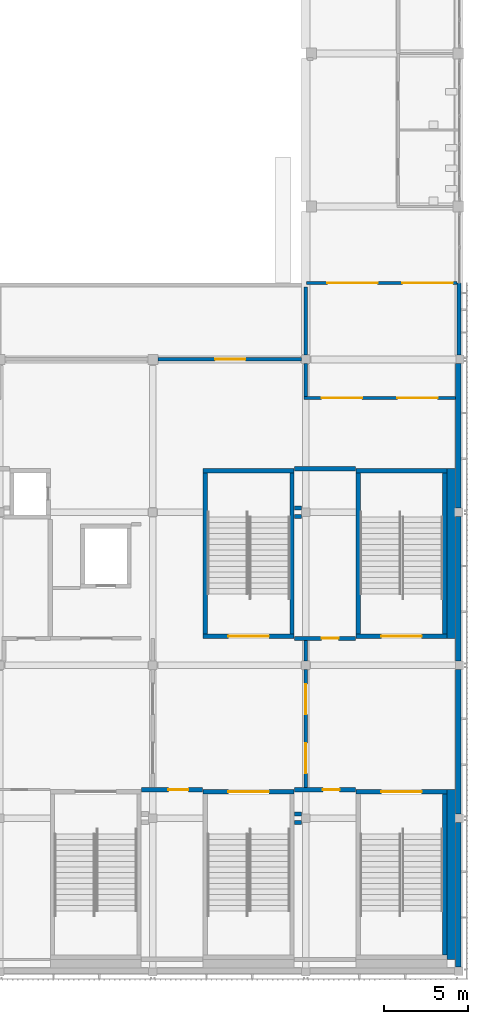
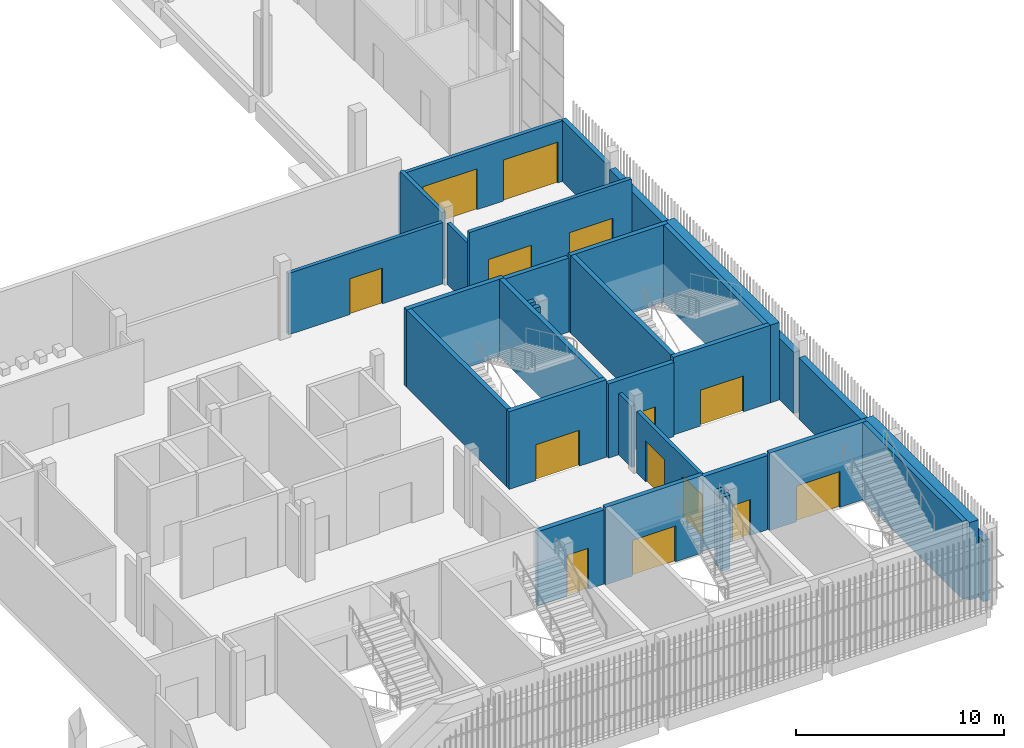
# One storey, part 54 of 91: 33 walls, 14 doors, 14 openings.
"""IFC4 building model written with IfcOpenShell, lengths in metres."""

import ifcopenshell
import ifcopenshell.guid

model = None  # the IFC model being written
_history = None  # IfcOwnerHistory: only IFC2X3 demands one
_inside = {}  # id of a spatial element -> (the spatial element, [elements in it])
_under = {}  # id of a project, library or spatial element -> (it, [spatial elements below it])
_declared = {}  # id of a project -> (the project, [libraries it declares])
_typed = {}  # id of a type object -> (the type object, [elements of that type])
_made_of = {}  # id of a material, layer set ... -> (it, [elements and type objects made of it])


def new_model(schema):
    """Start an empty IFC model of exactly this schema.

    Asked for "IFC4X3", IfcOpenShell would pick the latest addendum, in which some entities
    have other attributes; the version numbers below select the first issue.
    IFC2X3 requires an IfcOwnerHistory on every rooted entity: one is made here for all.
    """
    global model, _history
    if schema == "IFC4X3":
        model = ifcopenshell.file(schema_version=(4, 3, 0, 0))
    else:
        model = ifcopenshell.file(schema=schema)
    _inside.clear()
    _under.clear()
    _declared.clear()
    _typed.clear()
    _made_of.clear()
    _history = None
    if model.schema == "IFC2X3":
        org = make("IfcOrganization", Name="unknown")
        user = make(
            "IfcPersonAndOrganization",
            ThePerson=make("IfcPerson", FamilyName="unknown"),
            TheOrganization=org,
        )
        app = make(
            "IfcApplication",
            ApplicationDeveloper=org,
            Version="unknown",
            ApplicationFullName="unknown",
            ApplicationIdentifier="unknown",
        )
        _history = make(
            "IfcOwnerHistory",
            OwningUser=user,
            OwningApplication=app,
            ChangeAction="ADDED",
            CreationDate=0,
        )
    return model


def make(cls, **values):
    """One entity of the class cls with the attributes given. An attribute that is None is left unset."""
    return model.create_entity(
        cls, **{name: value for name, value in values.items() if value is not None}
    )


def rooted(cls, **values):
    """An entity with a GlobalId (a new one), such as an element, a storey or a relation."""
    return make(cls, GlobalId=ifcopenshell.guid.new(), OwnerHistory=_history, **values)


def si_unit(unit_type, name, prefix=None):
    """IfcSIUnit, for example si_unit("LENGTHUNIT", "METRE", prefix="MILLI")."""
    return make("IfcSIUnit", UnitType=unit_type, Prefix=prefix, Name=name)


def assignment(units):
    """IfcUnitAssignment: the units of a project."""
    return None if units is None else make("IfcUnitAssignment", Units=units)


def point(xyz):
    """IfcCartesianPoint."""
    return None if xyz is None else make("IfcCartesianPoint", Coordinates=xyz)


def direction(xyz):
    """IfcDirection."""
    return None if xyz is None else make("IfcDirection", DirectionRatios=xyz)


def frame(location, z_axis=None, x_axis=None):
    """IfcAxis2Placement3D, a coordinate frame: its origin and axes. An axis left out is left unset."""
    return make(
        "IfcAxis2Placement3D",
        Location=point(location),
        Axis=direction(z_axis),
        RefDirection=direction(x_axis),
    )


def frame_2d(location, x_axis=None):
    """IfcAxis2Placement2D, a coordinate frame in the plane: its origin and x axis."""
    return make(
        "IfcAxis2Placement2D", Location=point(location), RefDirection=direction(x_axis)
    )


def origin():
    """The frame at (0, 0, 0) with its axes left unset."""
    return frame((0.0, 0.0, 0.0))


def place(relative_to, where):
    """IfcLocalPlacement: puts the frame where relative to a parent placement (None: the world)."""
    return make(
        "IfcLocalPlacement", PlacementRelTo=relative_to, RelativePlacement=where
    )


def context(
    kind, dimensions, precision=None, world=None, true_north=None, identifier=None
):
    """IfcGeometricRepresentationContext, for example the 3D "Model" context."""
    return make(
        "IfcGeometricRepresentationContext",
        ContextIdentifier=identifier,
        ContextType=kind,
        CoordinateSpaceDimension=dimensions,
        Precision=precision,
        WorldCoordinateSystem=world,
        TrueNorth=true_north,
    )


def subcontext(parent, identifier, kind, view, scale=None):
    """IfcGeometricRepresentationSubContext, for example "Body" below "Model"."""
    return make(
        "IfcGeometricRepresentationSubContext",
        ContextIdentifier=identifier,
        ContextType=kind,
        ParentContext=parent,
        TargetScale=scale,
        TargetView=view,
    )


def project(units=None, contexts=None):
    """IfcProject with its units and contexts."""
    return rooted(
        "IfcProject",
        Name="project",
        RepresentationContexts=contexts,
        UnitsInContext=assignment(units),
    )


def spatial(cls, under=None, at=None, **own):
    """A site, building, storey or space (cls), placed at a placement, below another one or the project."""
    s = rooted(cls, ObjectPlacement=at, **own)
    if under is not None:
        _under.setdefault(under.id(), (under, []))[1].append(s)
    return s


def profile(cls, at=None, kind="AREA", **sizes):
    """A parametric profile (cls). Its sizes go by their IFC names, for example OverallWidth=200.0."""
    return make(cls, ProfileType=kind, Position=at, **sizes)


def rectangle(**sizes):
    """IfcRectangleProfileDef."""
    return profile("IfcRectangleProfileDef", **sizes)


def extrude(swept, where, along, depth):
    """IfcExtrudedAreaSolid: the profile swept, set in the frame where, extruded along a direction by depth."""
    return make(
        "IfcExtrudedAreaSolid",
        SweptArea=swept,
        Position=where,
        ExtrudedDirection=direction(along),
        Depth=depth,
    )


def shape(context_of_items, identifier, shape_type, items):
    """IfcShapeRepresentation: the items that make up one representation, for example the "Body"."""
    return make(
        "IfcShapeRepresentation",
        ContextOfItems=context_of_items,
        RepresentationIdentifier=identifier,
        RepresentationType=shape_type,
        Items=items,
    )


def material(Name=None, Category=None):
    """IfcMaterial."""
    return make("IfcMaterial", Name=Name, Category=Category)


def layer(
    of_material, thickness, ventilated=None, Name=None, Category=None, Priority=None
):
    """IfcMaterialLayer: one layer of a wall or slab, of a material (None: an air gap)."""
    return make(
        "IfcMaterialLayer",
        Material=of_material,
        LayerThickness=thickness,
        IsVentilated=ventilated,
        Name=Name,
        Category=Category,
        Priority=Priority,
    )


def layer_set(layers, Name=None):
    """IfcMaterialLayerSet."""
    return make("IfcMaterialLayerSet", MaterialLayers=layers, LayerSetName=Name)


def made_of(thing, what):
    """Note that an element or type object is made of a material, layer set ...; save() writes the relation."""
    if what is not None:
        _made_of.setdefault(what.id(), (what, []))[1].append(thing)
    return thing


def type_object(cls, material=None, **own):
    """A type object (cls), such as IfcWallType, which elements share."""
    return made_of(rooted(cls, **own), material)


def element(
    cls,
    number,
    at=None,
    inside=None,
    cuts=None,
    type_object=None,
    material=None,
    context=None,
    identifier="Body",
    shape_type=None,
    held_by="IfcProductDefinitionShape",
    body=None,
    shapes=None,
    **own,
):
    """One element of the class cls, such as IfcWall. Its Tag is "e" and its number.

    at: its placement. inside: the storey or other place that contains it. cuts: it is an
    opening in that element (IfcRelVoidsElement). A single representation is given by context,
    identifier, shape_type and body (its items); several are given by shapes. held_by: the class
    of the entity that holds the representations. save() writes the other relations.
    """
    e = rooted(cls, Tag="e%d" % number, ObjectPlacement=at, **own)
    if body is not None:
        shapes = [shape(context, identifier, shape_type, body)]
    if shapes is not None:
        e.Representation = make(held_by, Representations=shapes)
    if inside is not None:
        _inside.setdefault(inside.id(), (inside, []))[1].append(e)
    if cuts is not None:
        rooted(
            "IfcRelVoidsElement", RelatingBuildingElement=cuts, RelatedOpeningElement=e
        )
    if type_object is not None:
        _typed.setdefault(type_object.id(), (type_object, []))[1].append(e)
    return made_of(e, material)


def fill(opening, filler):
    """IfcRelFillsElement: the door or window that sits in an opening."""
    return rooted(
        "IfcRelFillsElement",
        RelatingOpeningElement=opening,
        RelatedBuildingElement=filler,
    )


def aggregate(whole, parts):
    """IfcRelAggregates: a whole, such as a stair, and the parts it consists of."""
    return rooted("IfcRelAggregates", RelatingObject=whole, RelatedObjects=parts)


def save(model, path):
    """Write the relations noted so far, then the file.

    IfcRelAggregates (storeys below a building ...), IfcRelContainedInSpatialStructure (elements
    in a storey), IfcRelDefinesByType, IfcRelAssociatesMaterial and IfcRelDeclares: one each for
    every whole, place, type object, material and project.
    """
    for whole, parts in _under.values():
        aggregate(whole, parts)
    for where, things in _inside.values():
        rooted(
            "IfcRelContainedInSpatialStructure",
            RelatedElements=things,
            RelatingStructure=where,
        )
    for kind, things in _typed.values():
        rooted("IfcRelDefinesByType", RelatedObjects=things, RelatingType=kind)
    for what, things in _made_of.values():
        rooted("IfcRelAssociatesMaterial", RelatedObjects=things, RelatingMaterial=what)
    for by, libraries in _declared.values():
        rooted("IfcRelDeclares", RelatingContext=by, RelatedDefinitions=libraries)
    model.write(path)


model = new_model("IFC4")

# Units and contexts
model_context = context("Model", 3, precision=1e-05, world=origin(), true_north=direction((0.0, 1.0)))
body_context = subcontext(model_context, "Body", "Model", "MODEL_VIEW")
ifc_project = project(units=[si_unit("LENGTHUNIT", "METRE"), si_unit("AREAUNIT", "SQUARE_METRE"), si_unit("VOLUMEUNIT", "CUBIC_METRE"), si_unit("PLANEANGLEUNIT", "RADIAN"), si_unit("MASSUNIT", "GRAM", prefix="KILO")], contexts=[model_context])

# Site, building, storey
site_placement = place(None, origin())
site = spatial("IfcSite", under=ifc_project, at=site_placement, CompositionType="ELEMENT")
building_placement = place(site_placement, origin())
building = spatial("IfcBuilding", under=site, at=building_placement, Name="Shirokan Park Arena", CompositionType="ELEMENT")
storey_placement = place(building_placement, frame((0.0, 0.0, 24.570068359375)))
storey = spatial("IfcBuildingStorey", under=building, at=storey_placement, Name="L05", CompositionType="ELEMENT", Elevation=24.570068359375)

# Wall
ifc_material_1 = material(Name="Plaster")
ifc_layer_1 = layer(ifc_material_1, 0.014892578125, Name="Plaster")
ifc_material_2 = material(Name="Concrete blockwork", Category="masonry")
ifc_layer_2 = layer(ifc_material_2, 0.219970703125, Name="Concrete blockwork 220")
ifc_layer_3 = layer(ifc_material_1, 0.014892578125, Name="Plaster")
ifc_layer_set_1 = layer_set([ifc_layer_1, ifc_layer_2, ifc_layer_3], Name="Plaster + Concrete blockwork 220")
wall_type_1 = type_object("IfcWallType", Name="Compartment wall 250", PredefinedType="SOLIDWALL", material=ifc_layer_set_1)
wall_1_placement = place(storey_placement, frame((135.830078125, 8.85009765625, 0.0), z_axis=(0.0, 0.0, 1.0), x_axis=(1.0, 0.0, 0.0)))
element("IfcWall", 1, at=wall_1_placement, inside=storey, type_object=wall_type_1, Name="Compartment wall 250 L05", PredefinedType="SOLIDWALL", context=body_context, shape_type="SweptSolid", body=[
    extrude(rectangle(XDim=0.419921875, YDim=0.25, at=frame_2d((0.2099609375, 0.0))), origin(), (0.0, 0.0, 1.0), 4.349853515625),
])

# Wall, opening, door
wall_2_placement = place(storey_placement, frame((135.830078125, 19.800048828125, 0.0), z_axis=(0.0, 0.0, 1.0), x_axis=(1.0, 0.0, 0.0)))
wall_2 = element("IfcWall", 2, at=wall_2_placement, inside=storey, type_object=wall_type_1, Name="Compartment wall 250 L05", PredefinedType="SOLIDWALL", context=body_context, shape_type="SweptSolid", body=[
    extrude(rectangle(XDim=3.639892578125, YDim=0.25, at=frame_2d((1.81982421875, 0.0))), origin(), (0.0, 0.0, 1.0), 4.349853515625),
])
opening_1_placement = place(wall_2_placement, frame((1.6201171875, 0.0, 0.0)))
opening_1 = element("IfcOpeningElement", 3, at=opening_1_placement, cuts=wall_2, Name="Opening D-5014", PredefinedType="OPENING", context=body_context, shape_type="SweptSolid", body=[
    extrude(rectangle(XDim=1.0, YDim=2.10009765625, at=frame_2d((0.5, 1.050048828125))), frame((0.0, 0.135009765625, 0.0), z_axis=(0.0, -1.0, 0.0), x_axis=(1.0, 0.0, 0.0)), (0.0, 0.0, 1.0), 0.27001953125),
])
ifc_material_3 = material(Name="Timber door set, fire resisting", Category="wood")
door_type_1 = type_object("IfcDoorType", Name="Door 1000 x 2100", OperationType="SINGLE_SWING_LEFT", PredefinedType="DOOR", material=ifc_material_3)
door_1_placement = place(opening_1_placement, origin())
door_1 = element("IfcDoor", 4, at=door_1_placement, inside=storey, type_object=door_type_1, Name="Door to Refuse Room 5.27 D-5014", OperationType="SINGLE_SWING_RIGHT", OverallHeight=2.10009765625, OverallWidth=1.0, PredefinedType="DOOR", context=body_context, shape_type="SweptSolid", body=[
    extrude(rectangle(XDim=1.0, YDim=2.10009765625, at=frame_2d((0.5, 1.050048828125))), frame((0.0, 0.02490234375, 0.0), z_axis=(0.0, -1.0, 0.0), x_axis=(1.0, 0.0, 0.0)), (0.0, 0.0, 1.0), 0.050048828125),
])
fill(opening_1, door_1)

# Walls
wall_3_placement = place(storey_placement, frame((135.830078125, 27.050048828125, 0.0), z_axis=(0.0, 0.0, 1.0), x_axis=(1.0, 0.0, 0.0)))
element("IfcWall", 5, at=wall_3_placement, inside=storey, type_object=wall_type_1, Name="Compartment wall 250 L05", PredefinedType="SOLIDWALL", context=body_context, shape_type="SweptSolid", body=[
    extrude(rectangle(XDim=0.419921875, YDim=0.25, at=frame_2d((0.2099609375, 0.0))), origin(), (0.0, 0.0, 1.0), 4.349853515625),
])
wall_4_placement = place(storey_placement, frame((135.830078125, 29.89990234375, 0.0), z_axis=(0.0, 0.0, 1.0), x_axis=(1.0, 0.0, 0.0)))
element("IfcWall", 6, at=wall_4_placement, inside=storey, type_object=wall_type_1, Name="Compartment wall 250 L05", PredefinedType="SOLIDWALL", context=body_context, shape_type="SweptSolid", body=[
    extrude(rectangle(XDim=3.639892578125, YDim=0.25, at=frame_2d((1.81982421875, 0.0))), origin(), (0.0, 0.0, 1.0), 4.349853515625),
])
for number, where, z_axis, x_axis, name in (
    (7, (136.25, 9.35009765625, 0.0), (0.0, 0.0, 1.0), (-1.0, 0.0, 0.0), "Compartment wall 250 L05"),
    (8, (136.25, 27.550048828125, 0.0), (0.0, 0.0, 1.0), (-1.0, 0.0, 0.0), "Compartment wall 250 L05"),
):
    element("IfcWall", number, at=place(storey_placement, frame(where, z_axis=z_axis, x_axis=x_axis)), inside=storey, type_object=wall_type_1, Name=name, PredefinedType="SOLIDWALL", context=body_context, shape_type="SweptSolid", body=[
        extrude(rectangle(XDim=0.419921875, YDim=0.25, at=frame_2d((0.2099609375, 0.0))), origin(), (0.0, 0.0, 1.0), 4.349853515625),
    ])

# Wall, opening, door
wall_5_placement = place(storey_placement, frame((135.830078125, 10.800048828125, 0.0), z_axis=(0.0, 0.0, 1.0), x_axis=(1.0, 0.0, 0.0)))
wall_5 = element("IfcWall", 9, at=wall_5_placement, inside=storey, type_object=wall_type_1, Name="Compartment wall 250 L05", PredefinedType="SOLIDWALL", context=body_context, shape_type="SweptSolid", body=[
    extrude(rectangle(XDim=3.639892578125, YDim=0.25, at=frame_2d((1.81982421875, 0.0))), origin(), (0.0, 0.0, 1.0), 4.349853515625),
])
opening_2_placement = place(wall_5_placement, frame((1.68994140625, 0.0, 0.0)))
opening_2 = element("IfcOpeningElement", 10, at=opening_2_placement, cuts=wall_5, Name="Opening D-5017", PredefinedType="OPENING", context=body_context, shape_type="SweptSolid", body=[
    extrude(rectangle(XDim=1.0, YDim=2.10009765625, at=frame_2d((0.5, 1.050048828125))), frame((0.0, 0.135009765625, 0.0), z_axis=(0.0, -1.0, 0.0), x_axis=(1.0, 0.0, 0.0)), (0.0, 0.0, 1.0), 0.27001953125),
])
door_2_placement = place(opening_2_placement, origin())
door_2 = element("IfcDoor", 11, at=door_2_placement, inside=storey, type_object=door_type_1, Name="Door to Kiosk Store 5.20 D-5017", OperationType="SINGLE_SWING_RIGHT", OverallHeight=2.10009765625, OverallWidth=1.0, PredefinedType="DOOR", context=body_context, shape_type="SweptSolid", body=[
    extrude(rectangle(XDim=1.0, YDim=2.10009765625, at=frame_2d((0.5, 1.050048828125))), frame((0.0, 0.02490234375, 0.0), z_axis=(0.0, -1.0, 0.0), x_axis=(1.0, 0.0, 0.0)), (0.0, 0.0, 1.0), 0.050048828125),
])
fill(opening_2, door_2)

ifc_material_4 = material(Name="Gypsum board")
ifc_layer_4 = layer(ifc_material_4, 0.02490234375, Name="Gypsum board, two layers")
ifc_material_5 = material(Name="Mineral wool insulation")
ifc_layer_5 = layer(ifc_material_5, 0.14990234375, Name="Mineral wool insulation")
ifc_layer_6 = layer(ifc_material_4, 0.02490234375, Name="Gypsum board, two layers")
ifc_layer_set_2 = layer_set([ifc_layer_4, ifc_layer_5, ifc_layer_6], Name="Gypsum board, two layers + Mineral wool insulation")
wall_type_2 = type_object("IfcWallType", Name="Corridor wall 200", PredefinedType="PARTITIONING", material=ifc_layer_set_2)
wall_6_placement = place(storey_placement, frame((136.25, 36.39990234375, 0.0), z_axis=(0.0, 0.0, 1.0), x_axis=(-1.0, 0.0, 0.0)))
wall_6 = element("IfcWall", 12, at=wall_6_placement, inside=storey, type_object=wall_type_2, Name="Corridor wall 200 L05", PredefinedType="PARTITIONING", context=body_context, shape_type="SweptSolid", body=[
    extrude(rectangle(XDim=8.550048828125, YDim=0.199951171875, at=frame_2d((4.27490234375, 0.0))), origin(), (0.0, 0.0, 1.0), 3.599853515625),
])
opening_3_placement = place(wall_6_placement, frame((3.35009765625, 0.0, 0.0)))
opening_3 = element("IfcOpeningElement", 13, at=opening_3_placement, cuts=wall_6, Name="Opening D-5020", PredefinedType="OPENING", context=body_context, shape_type="SweptSolid", body=[
    extrude(rectangle(XDim=1.800048828125, YDim=2.10009765625, at=frame_2d((0.89990234375, 1.050048828125))), frame((0.0, 0.10986328125, 0.0), z_axis=(0.0, -1.0, 0.0), x_axis=(1.0, 0.0, 0.0)), (0.0, 0.0, 1.0), 0.219970703125),
])
door_type_2 = type_object("IfcDoorType", Name="Double door 1800 x 2100", OperationType="DOUBLE_DOOR_SINGLE_SWING", PredefinedType="DOOR", material=ifc_material_3)
door_3_placement = place(opening_3_placement, origin())
door_3 = element("IfcDoor", 14, at=door_3_placement, inside=storey, type_object=door_type_2, Name="Door to Fan Zone Retail 5.21 D-5020", OperationType="DOUBLE_DOOR_SINGLE_SWING", OverallHeight=2.10009765625, OverallWidth=1.800048828125, PredefinedType="DOOR", context=body_context, shape_type="SweptSolid", body=[
    extrude(rectangle(XDim=1.800048828125, YDim=2.10009765625, at=frame_2d((0.89990234375, 1.050048828125))), frame((0.0, 0.02490234375, 0.0), z_axis=(0.0, -1.0, 0.0), x_axis=(1.0, 0.0, 0.0)), (0.0, 0.0, 1.0), 0.050048828125),
])
fill(opening_3, door_3)

# Wall, openings, doors
wall_7_placement = place(storey_placement, frame((136.39990234375, 34.10009765625, 0.0), z_axis=(0.0, 0.0, 1.0), x_axis=(1.0, 0.0, 0.0)))
wall_7 = element("IfcWall", 15, at=wall_7_placement, inside=storey, type_object=wall_type_2, Name="Corridor wall 200 L05", PredefinedType="PARTITIONING", context=body_context, shape_type="SweptSolid", body=[
    extrude(rectangle(XDim=9.0, YDim=0.199951171875, at=frame_2d((4.5, 0.0))), origin(), (0.0, 0.0, 1.0), 4.349853515625),
])
opening_4_placement = place(wall_7_placement, frame((1.050048828125, 0.0, 0.0)))
opening_4 = element("IfcOpeningElement", 16, at=opening_4_placement, cuts=wall_7, Name="Opening D-5077", PredefinedType="OPENING", context=body_context, shape_type="SweptSolid", body=[
    extrude(rectangle(XDim=2.39990234375, YDim=2.39990234375, at=frame_2d((1.199951171875, 1.199951171875))), frame((0.0, 0.10986328125, 0.0), z_axis=(0.0, -1.0, 0.0), x_axis=(1.0, 0.0, 0.0)), (0.0, 0.0, 1.0), 0.219970703125),
])
opening_5_placement = place(wall_7_placement, frame((5.550048828125, 0.0, 0.0)))
opening_5 = element("IfcOpeningElement", 17, at=opening_5_placement, cuts=wall_7, Name="Opening D-5078", PredefinedType="OPENING", context=body_context, shape_type="SweptSolid", body=[
    extrude(rectangle(XDim=2.39990234375, YDim=2.39990234375, at=frame_2d((1.199951171875, 1.199951171875))), frame((0.0, 0.10986328125, 0.0), z_axis=(0.0, -1.0, 0.0), x_axis=(1.0, 0.0, 0.0)), (0.0, 0.0, 1.0), 0.219970703125),
])
ifc_material_6 = material(Name="Steel door set, fire resisting", Category="steel")
door_type_3 = type_object("IfcDoorType", Name="Double door 2400 x 2400", OperationType="DOUBLE_DOOR_SINGLE_SWING", PredefinedType="DOOR", material=ifc_material_6)
door_4_placement = place(opening_4_placement, origin())
door_4 = element("IfcDoor", 18, at=door_4_placement, inside=storey, type_object=door_type_3, Name="Door between Service Corridor 2.5 and Concourse Link 2.5 D-5077", OperationType="DOUBLE_DOOR_SINGLE_SWING", OverallHeight=2.39990234375, OverallWidth=2.39990234375, PredefinedType="DOOR", context=body_context, shape_type="SweptSolid", body=[
    extrude(rectangle(XDim=2.39990234375, YDim=2.39990234375, at=frame_2d((1.199951171875, 1.199951171875))), frame((0.0, 0.02490234375, 0.0), z_axis=(0.0, -1.0, 0.0), x_axis=(1.0, 0.0, 0.0)), (0.0, 0.0, 1.0), 0.050048828125),
])
fill(opening_4, door_4)
door_5_placement = place(opening_5_placement, origin())
door_5 = element("IfcDoor", 19, at=door_5_placement, inside=storey, type_object=door_type_3, Name="Door between Service Corridor 2.5 and Concourse Link 2.5 D-5078", OperationType="DOUBLE_DOOR_SINGLE_SWING", OverallHeight=2.39990234375, OverallWidth=2.39990234375, PredefinedType="DOOR", context=body_context, shape_type="SweptSolid", body=[
    extrude(rectangle(XDim=2.39990234375, YDim=2.39990234375, at=frame_2d((1.199951171875, 1.199951171875))), frame((0.0, 0.02490234375, 0.0), z_axis=(0.0, -1.0, 0.0), x_axis=(1.0, 0.0, 0.0)), (0.0, 0.0, 1.0), 0.050048828125),
])
fill(opening_5, door_5)

wall_8_placement = place(storey_placement, frame((136.5, 10.925048828125, 0.0), z_axis=(0.0, 0.0, 1.0), x_axis=(0.0, 1.0, 0.0)))
wall_8 = element("IfcWall", 20, at=wall_8_placement, inside=storey, type_object=wall_type_2, Name="Corridor wall 200 L05", PredefinedType="PARTITIONING", context=body_context, shape_type="SweptSolid", body=[
    extrude(rectangle(XDim=7.02490234375, YDim=0.199951171875, at=frame_2d((3.512451171875, 0.0))), origin(), (0.0, 0.0, 1.0), 3.599853515625),
])
opening_6_placement = place(wall_8_placement, frame((0.85009765625, 0.0, 0.0)))
opening_6 = element("IfcOpeningElement", 21, at=opening_6_placement, cuts=wall_8, Name="Opening D-5079", PredefinedType="OPENING", context=body_context, shape_type="SweptSolid", body=[
    extrude(rectangle(XDim=1.800048828125, YDim=2.39990234375, at=frame_2d((0.89990234375, 1.199951171875))), frame((0.0, 0.10986328125, 0.0), z_axis=(0.0, -1.0, 0.0), x_axis=(1.0, 0.0, 0.0)), (0.0, 0.0, 1.0), 0.219970703125),
])
opening_7_placement = place(wall_8_placement, frame((4.35009765625, 0.0, 0.0)))
opening_7 = element("IfcOpeningElement", 22, at=opening_7_placement, cuts=wall_8, Name="Opening D-5080", PredefinedType="OPENING", context=body_context, shape_type="SweptSolid", body=[
    extrude(rectangle(XDim=1.800048828125, YDim=2.39990234375, at=frame_2d((0.89990234375, 1.199951171875))), frame((0.0, 0.10986328125, 0.0), z_axis=(0.0, -1.0, 0.0), x_axis=(1.0, 0.0, 0.0)), (0.0, 0.0, 1.0), 0.219970703125),
])
ifc_material_7 = material(Name="Glazed steel door set, fire resisting", Category="steel")
door_type_4 = type_object("IfcDoorType", Name="Lift lobby door 1800 x 2400", OperationType="DOUBLE_DOOR_SINGLE_SWING", PredefinedType="DOOR", material=ifc_material_7)
door_6_placement = place(opening_6_placement, origin())
door_6 = element("IfcDoor", 23, at=door_6_placement, inside=storey, type_object=door_type_4, Name="Door between Staff Lobby 2.5.1 and Stair Lobby 2.5.2 D-5079", OperationType="DOUBLE_DOOR_SINGLE_SWING", OverallHeight=2.39990234375, OverallWidth=1.800048828125, PredefinedType="DOOR", context=body_context, shape_type="SweptSolid", body=[
    extrude(rectangle(XDim=1.800048828125, YDim=2.39990234375, at=frame_2d((0.89990234375, 1.199951171875))), frame((0.0, 0.02490234375, 0.0), z_axis=(0.0, -1.0, 0.0), x_axis=(1.0, 0.0, 0.0)), (0.0, 0.0, 1.0), 0.050048828125),
])
fill(opening_6, door_6)
door_7_placement = place(opening_7_placement, origin())
door_7 = element("IfcDoor", 24, at=door_7_placement, inside=storey, type_object=door_type_4, Name="Door between Staff Lobby 2.5.1 and Stair Lobby 2.5.2 D-5080", OperationType="DOUBLE_DOOR_SINGLE_SWING", OverallHeight=2.39990234375, OverallWidth=1.800048828125, PredefinedType="DOOR", context=body_context, shape_type="SweptSolid", body=[
    extrude(rectangle(XDim=1.800048828125, YDim=2.39990234375, at=frame_2d((0.89990234375, 1.199951171875))), frame((0.0, 0.02490234375, 0.0), z_axis=(0.0, -1.0, 0.0), x_axis=(1.0, 0.0, 0.0)), (0.0, 0.0, 1.0), 0.050048828125),
])
fill(opening_7, door_7)

# Walls
wall_9_placement = place(storey_placement, frame((136.5, 18.449951171875, 0.0), z_axis=(0.0, 0.0, 1.0), x_axis=(0.0, 1.0, 0.0)))
element("IfcWall", 25, at=wall_9_placement, inside=storey, type_object=wall_type_2, Name="Corridor wall 200 L05", PredefinedType="PARTITIONING", context=body_context, shape_type="SweptSolid", body=[
    extrude(rectangle(XDim=1.22509765625, YDim=0.199951171875, at=frame_2d((0.612548828125, 0.0))), origin(), (0.0, 0.0, 1.0), 3.599853515625),
])
wall_10_placement = place(storey_placement, frame((136.5, 36.14990234375, 0.0), z_axis=(0.0, 0.0, 1.0), x_axis=(0.0, -1.0, 0.0)))
element("IfcWall", 26, at=wall_10_placement, inside=storey, type_object=wall_type_2, Name="Corridor wall 200 L05", PredefinedType="PARTITIONING", context=body_context, shape_type="SweptSolid", body=[
    extrude(rectangle(XDim=1.949951171875, YDim=0.199951171875, at=frame_2d((0.97509765625, 0.0))), origin(), (0.0, 0.0, 1.0), 3.599853515625),
])
wall_11_placement = place(storey_placement, frame((136.5, 40.699951171875, 0.0), z_axis=(0.0, 0.0, 1.0), x_axis=(0.0, -1.0, 0.0)))
element("IfcWall", 27, at=wall_11_placement, inside=storey, type_object=wall_type_2, Name="Corridor wall 200 L05", PredefinedType="PARTITIONING", context=body_context, shape_type="SweptSolid", body=[
    extrude(rectangle(XDim=4.050048828125, YDim=0.199951171875, at=frame_2d((2.02490234375, 0.0))), origin(), (0.0, 0.0, 1.0), 3.89990234375),
])

# Wall, openings, doors
wall_12_placement = place(storey_placement, frame((136.530029296875, 40.949951171875, 0.0), z_axis=(0.0, 0.0, 1.0), x_axis=(1.0, 0.0, 0.0)))
wall_12 = element("IfcWall", 28, at=wall_12_placement, inside=storey, type_object=wall_type_2, Name="Corridor wall 200 L05", PredefinedType="PARTITIONING", context=body_context, shape_type="SweptSolid", body=[
    extrude(rectangle(XDim=8.969970703125, YDim=0.199951171875, at=frame_2d((4.48486328125, 0.0))), origin(), (0.0, 0.0, 1.0), 3.550048828125),
])
opening_8_placement = place(wall_12_placement, frame((1.25, 0.0, 0.0)))
opening_8 = element("IfcOpeningElement", 29, at=opening_8_placement, cuts=wall_12, Name="Opening D-5089", PredefinedType="OPENING", context=body_context, shape_type="SweptSolid", body=[
    extrude(rectangle(XDim=3.0, YDim=2.39990234375, at=frame_2d((1.5, 1.199951171875))), frame((0.0, 0.10986328125, 0.0), z_axis=(0.0, -1.0, 0.0), x_axis=(1.0, 0.0, 0.0)), (0.0, 0.0, 1.0), 0.219970703125),
])
opening_9_placement = place(wall_12_placement, frame((5.719970703125, 0.0, 0.0)))
opening_9 = element("IfcOpeningElement", 30, at=opening_9_placement, cuts=wall_12, Name="Opening D-5090", PredefinedType="OPENING", context=body_context, shape_type="SweptSolid", body=[
    extrude(rectangle(XDim=3.0, YDim=2.39990234375, at=frame_2d((1.5, 1.199951171875))), frame((0.0, 0.10986328125, 0.0), z_axis=(0.0, -1.0, 0.0), x_axis=(1.0, 0.0, 0.0)), (0.0, 0.0, 1.0), 0.219970703125),
])
door_type_5 = type_object("IfcDoorType", Name="Concourse door 3000 x 2400", OperationType="DOUBLE_DOOR_SINGLE_SWING", PredefinedType="DOOR", material=ifc_material_7)
door_8_placement = place(opening_8_placement, origin())
door_8 = element("IfcDoor", 31, at=door_8_placement, inside=storey, type_object=door_type_5, Name="Door between Concourse Link 2.5 and Concourse L05 East Hall D-5089", OperationType="DOUBLE_DOOR_SINGLE_SWING", OverallHeight=2.39990234375, OverallWidth=3.0, PredefinedType="DOOR", context=body_context, shape_type="SweptSolid", body=[
    extrude(rectangle(XDim=3.0, YDim=2.39990234375, at=frame_2d((1.5, 1.199951171875))), frame((0.0, 0.02490234375, 0.0), z_axis=(0.0, -1.0, 0.0), x_axis=(1.0, 0.0, 0.0)), (0.0, 0.0, 1.0), 0.050048828125),
])
fill(opening_8, door_8)
door_9_placement = place(opening_9_placement, origin())
door_9 = element("IfcDoor", 32, at=door_9_placement, inside=storey, type_object=door_type_5, Name="Door between Concourse Link 2.5 and Concourse L05 East Hall D-5090", OperationType="DOUBLE_DOOR_SINGLE_SWING", OverallHeight=2.39990234375, OverallWidth=3.0, PredefinedType="DOOR", context=body_context, shape_type="SweptSolid", body=[
    extrude(rectangle(XDim=3.0, YDim=2.39990234375, at=frame_2d((1.5, 1.199951171875))), frame((0.0, 0.02490234375, 0.0), z_axis=(0.0, -1.0, 0.0), x_axis=(1.0, 0.0, 0.0)), (0.0, 0.0, 1.0), 0.050048828125),
])
fill(opening_9, door_9)

# Walls
ifc_material_8 = material(Name="Cedar cladding")
ifc_layer_7 = layer(ifc_material_8, 0.030029296875, Name="Cedar cladding")
ifc_layer_8 = layer(ifc_material_5, 0.10009765625, Name="Mineral wool insulation")
ifc_material_9 = material(Name="Concrete C35", Category="concrete")
ifc_layer_9 = layer(ifc_material_9, 0.199951171875, Name="Concrete C35")
ifc_material_10 = material(Name="Gypsum board lining")
ifc_layer_10 = layer(ifc_material_10, 0.02001953125, Name="Gypsum board lining")
ifc_layer_set_3 = layer_set([ifc_layer_7, ifc_layer_8, ifc_layer_9, ifc_layer_10], Name="Cedar cladding + Mineral wool insulation + Concrete C35 + Gypsum board lining")
wall_type_3 = type_object("IfcWallType", Name="Insulated tower wall 350", PredefinedType="SOLIDWALL", material=ifc_layer_set_3)
wall_13_placement = place(storey_placement, frame((145.574951171875, 0.25, 0.0), z_axis=(0.0, 0.0, 1.0), x_axis=(0.0, 1.0, 0.0)))
element("IfcWall", 33, at=wall_13_placement, inside=storey, type_object=wall_type_3, Name="East facade wall bay 1 L05", PredefinedType="SOLIDWALL", context=body_context, shape_type="SweptSolid", body=[
    extrude(rectangle(XDim=8.60009765625, YDim=0.35009765625, at=frame_2d((4.300048828125, 0.0))), origin(), (0.0, 0.0, 1.0), 3.599853515625),
])
wall_14_placement = place(storey_placement, frame((145.574951171875, 9.35009765625, 0.0), z_axis=(0.0, 0.0, 1.0), x_axis=(0.0, 1.0, 0.0)))
element("IfcWall", 34, at=wall_14_placement, inside=storey, type_object=wall_type_3, Name="East facade wall bay 2 L05", PredefinedType="SOLIDWALL", context=body_context, shape_type="SweptSolid", body=[
    extrude(rectangle(XDim=8.599853515625, YDim=0.35009765625, at=frame_2d((4.2998046875, 0.0))), origin(), (0.0, 0.0, 1.0), 3.599853515625),
])
wall_15_placement = place(storey_placement, frame((145.574951171875, 18.449951171875, 0.0), z_axis=(0.0, 0.0, 1.0), x_axis=(0.0, 1.0, 0.0)))
element("IfcWall", 35, at=wall_15_placement, inside=storey, type_object=wall_type_3, Name="East facade wall bay 3 L05", PredefinedType="SOLIDWALL", context=body_context, shape_type="SweptSolid", body=[
    extrude(rectangle(XDim=8.60009765625, YDim=0.35009765625, at=frame_2d((4.300048828125, 0.0))), origin(), (0.0, 0.0, 1.0), 3.599853515625),
])
wall_16_placement = place(storey_placement, frame((145.574951171875, 27.550048828125, 0.0), z_axis=(0.0, 0.0, 1.0), x_axis=(0.0, 1.0, 0.0)))
element("IfcWall", 36, at=wall_16_placement, inside=storey, type_object=wall_type_3, Name="East facade wall bay 4 L05", PredefinedType="SOLIDWALL", context=body_context, shape_type="SweptSolid", body=[
    extrude(rectangle(XDim=8.599853515625, YDim=0.35009765625, at=frame_2d((4.2998046875, 0.0))), origin(), (0.0, 0.0, 1.0), 3.599853515625),
])

# Wall, opening, door
ifc_layer_11 = layer(ifc_material_1, 0.012451171875, Name="Plaster")
ifc_layer_12 = layer(ifc_material_2, 0.25, Name="Concrete blockwork 250")
ifc_layer_13 = layer(ifc_material_1, 0.012451171875, Name="Plaster")
ifc_layer_set_4 = layer_set([ifc_layer_11, ifc_layer_12, ifc_layer_13], Name="Plaster + Concrete blockwork 250")
wall_type_4 = type_object("IfcWallType", Name="Plant room wall 275", PredefinedType="SOLIDWALL", material=ifc_layer_set_4)
wall_17_placement = place(storey_placement, frame((126.72998046875, 10.800048828125, 0.0), z_axis=(0.0, 0.0, 1.0), x_axis=(1.0, 0.0, 0.0)))
wall_17 = element("IfcWall", 37, at=wall_17_placement, inside=storey, type_object=wall_type_4, Name="Plant room wall 275 L05", PredefinedType="SOLIDWALL", context=body_context, shape_type="SweptSolid", body=[
    extrude(rectangle(XDim=3.64013671875, YDim=0.27490234375, at=frame_2d((1.820068359375, 0.0))), origin(), (0.0, 0.0, 1.0), 4.349853515625),
])
opening_10_placement = place(wall_17_placement, frame((1.590087890625, 0.0, 0.0)))
opening_10 = element("IfcOpeningElement", 38, at=opening_10_placement, cuts=wall_17, Name="Opening D-5018", PredefinedType="OPENING", context=body_context, shape_type="SweptSolid", body=[
    extrude(rectangle(XDim=1.199951171875, YDim=2.39990234375, at=frame_2d((0.60009765625, 1.199951171875))), frame((0.0, 0.1474609375, 0.0), z_axis=(0.0, -1.0, 0.0), x_axis=(1.0, 0.0, 0.0)), (0.0, 0.0, 1.0), 0.294921875),
])
ifc_material_11 = material(Name="Louvred steel door set, fire resisting", Category="steel")
door_type_6 = type_object("IfcDoorType", Name="Plant room door 1200 x 2400", OperationType="SINGLE_SWING_LEFT", PredefinedType="DOOR", material=ifc_material_11)
door_10_placement = place(opening_10_placement, origin())
door_10 = element("IfcDoor", 39, at=door_10_placement, inside=storey, type_object=door_type_6, Name="Door to Electrical Room 5.21 D-5018", OperationType="SINGLE_SWING_RIGHT", OverallHeight=2.39990234375, OverallWidth=1.199951171875, PredefinedType="DOOR", context=body_context, shape_type="SweptSolid", body=[
    extrude(rectangle(XDim=1.199951171875, YDim=2.39990234375, at=frame_2d((0.60009765625, 1.199951171875))), frame((0.0, 0.02490234375, 0.0), z_axis=(0.0, -1.0, 0.0), x_axis=(1.0, 0.0, 0.0)), (0.0, 0.0, 1.0), 0.050048828125),
])
fill(opening_10, door_10)

# Wall
ifc_material_12 = material(Name="Concrete C40/50 precast", Category="concrete")
ifc_layer_14 = layer(ifc_material_12, 0.10009765625, Name="Concrete C40/50 precast")
ifc_layer_15 = layer(ifc_material_5, 0.10009765625, Name="Mineral wool insulation")
ifc_layer_16 = layer(ifc_material_10, 0.050048828125, Name="Gypsum board lining")
ifc_layer_set_5 = layer_set([ifc_layer_14, ifc_layer_15, ifc_layer_16], Name="Concrete C40/50 precast + Mineral wool insulation + Gypsum board lining")
wall_type_5 = type_object("IfcWallType", Name="Precast concrete panel wall 250", PredefinedType="SOLIDWALL", material=ifc_layer_set_5)
wall_18_placement = place(storey_placement, frame((145.625, 36.64990234375, 0.0), z_axis=(0.0, 0.0, 1.0), x_axis=(0.0, 1.0, 0.0)))
element("IfcWall", 40, at=wall_18_placement, inside=storey, type_object=wall_type_5, Name="East facade wall bay 5 L05", PredefinedType="SOLIDWALL", context=body_context, shape_type="SweptSolid", body=[
    extrude(rectangle(XDim=4.300048828125, YDim=0.25, at=frame_2d((2.14990234375, 0.0))), origin(), (0.0, 0.0, 1.0), 3.599853515625),
])

# Wall, opening, door
ifc_material_13 = material(Name="Concrete C40/50", Category="concrete")
ifc_layer_17 = layer(ifc_material_13, 0.25)
ifc_layer_set_6 = layer_set([ifc_layer_17], Name="Concrete C40/50 250 mm")
wall_type_6 = type_object("IfcWallType", Name="RC shear wall 250", PredefinedType="SHEAR", material=ifc_layer_set_6)
wall_19_placement = place(storey_placement, frame((144.89990234375, 10.675048828125, 0.0), z_axis=(0.0, 0.0, 1.0), x_axis=(-1.0, 0.0, 0.0)))
wall_19 = element("IfcWall", 41, at=wall_19_placement, inside=storey, type_object=wall_type_6, Name="Shaft wall Exit Stair 2.A N L05", PredefinedType="SHEAR", context=body_context, shape_type="SweptSolid", body=[
    extrude(rectangle(XDim=5.39990234375, YDim=0.25, at=frame_2d((2.699951171875, 0.0))), origin(), (0.0, 0.0, 1.0), 4.550048828125),
])
opening_11_placement = place(wall_19_placement, frame((1.5, 0.0, 0.0)))
opening_11 = element("IfcOpeningElement", 42, at=opening_11_placement, cuts=wall_19, Name="Opening D-5135", PredefinedType="OPENING", context=body_context, shape_type="SweptSolid", body=[
    extrude(rectangle(XDim=2.39990234375, YDim=2.10009765625, at=frame_2d((1.199951171875, 1.050048828125))), frame((0.0, 0.135009765625, 0.0), z_axis=(0.0, -1.0, 0.0), x_axis=(1.0, 0.0, 0.0)), (0.0, 0.0, 1.0), 0.27001953125),
])
door_type_7 = type_object("IfcDoorType", Name="Stair door 2400 x 2100", OperationType="DOUBLE_DOOR_SINGLE_SWING", PredefinedType="DOOR", material=ifc_material_6)
door_11_placement = place(opening_11_placement, origin())
door_11 = element("IfcDoor", 43, at=door_11_placement, inside=storey, type_object=door_type_7, Name="Stair door Exit Stair 2.A D-5135", OperationType="DOUBLE_DOOR_SINGLE_SWING", OverallHeight=2.10009765625, OverallWidth=2.39990234375, PredefinedType="DOOR", context=body_context, shape_type="SweptSolid", body=[
    extrude(rectangle(XDim=2.39990234375, YDim=2.10009765625, at=frame_2d((1.199951171875, 1.050048828125))), frame((0.0, 0.02490234375, 0.0), z_axis=(0.0, -1.0, 0.0), x_axis=(1.0, 0.0, 0.0)), (0.0, 0.0, 1.0), 0.050048828125),
])
fill(opening_11, door_11)

# Wall
wall_20_placement = place(storey_placement, frame((144.77490234375, 10.550048828125, 0.0), z_axis=(0.0, 0.0, 1.0), x_axis=(0.0, -1.0, 0.0)))
element("IfcWall", 44, at=wall_20_placement, inside=storey, type_object=wall_type_6, Name="Shaft wall Exit Stair 2.A E L05", PredefinedType="SHEAR", context=body_context, shape_type="SweptSolid", body=[
    extrude(rectangle(XDim=9.60009765625, YDim=0.25, at=frame_2d((4.800048828125, 0.0))), origin(), (0.0, 0.0, 1.0), 4.550048828125),
])

# Wall, opening, door
wall_21_placement = place(storey_placement, frame((135.800048828125, 10.675048828125, 0.0), z_axis=(0.0, 0.0, 1.0), x_axis=(-1.0, 0.0, 0.0)))
wall_21 = element("IfcWall", 45, at=wall_21_placement, inside=storey, type_object=wall_type_6, Name="Shaft wall Exit Stair 2.B N L05", PredefinedType="SHEAR", context=body_context, shape_type="SweptSolid", body=[
    extrude(rectangle(XDim=5.400146484375, YDim=0.25, at=frame_2d((2.7001953125, 0.0))), origin(), (0.0, 0.0, 1.0), 4.550048828125),
])
opening_12_placement = place(wall_21_placement, frame((1.5, 0.0, 0.0)))
opening_12 = element("IfcOpeningElement", 46, at=opening_12_placement, cuts=wall_21, Name="Opening D-5136", PredefinedType="OPENING", context=body_context, shape_type="SweptSolid", body=[
    extrude(rectangle(XDim=2.39990234375, YDim=2.10009765625, at=frame_2d((1.199951171875, 1.050048828125))), frame((0.0, 0.135009765625, 0.0), z_axis=(0.0, -1.0, 0.0), x_axis=(1.0, 0.0, 0.0)), (0.0, 0.0, 1.0), 0.27001953125),
])
door_12_placement = place(opening_12_placement, origin())
door_12 = element("IfcDoor", 47, at=door_12_placement, inside=storey, type_object=door_type_7, Name="Stair door Exit Stair 2.B D-5136", OperationType="DOUBLE_DOOR_SINGLE_SWING", OverallHeight=2.10009765625, OverallWidth=2.39990234375, PredefinedType="DOOR", context=body_context, shape_type="SweptSolid", body=[
    extrude(rectangle(XDim=2.39990234375, YDim=2.10009765625, at=frame_2d((1.199951171875, 1.050048828125))), frame((0.0, 0.02490234375, 0.0), z_axis=(0.0, -1.0, 0.0), x_axis=(1.0, 0.0, 0.0)), (0.0, 0.0, 1.0), 0.050048828125),
])
fill(opening_12, door_12)

wall_22_placement = place(storey_placement, frame((144.89990234375, 19.925048828125, 0.0), z_axis=(0.0, 0.0, 1.0), x_axis=(-1.0, 0.0, 0.0)))
wall_22 = element("IfcWall", 48, at=wall_22_placement, inside=storey, type_object=wall_type_6, Name="Shaft wall Exit Stair 2.E S L05", PredefinedType="SHEAR", context=body_context, shape_type="SweptSolid", body=[
    extrude(rectangle(XDim=5.39990234375, YDim=0.25, at=frame_2d((2.699951171875, 0.0))), origin(), (0.0, 0.0, 1.0), 4.550048828125),
])
opening_13_placement = place(wall_22_placement, frame((1.5, 0.0, 0.0)))
opening_13 = element("IfcOpeningElement", 49, at=opening_13_placement, cuts=wall_22, Name="Opening D-5139", PredefinedType="OPENING", context=body_context, shape_type="SweptSolid", body=[
    extrude(rectangle(XDim=2.39990234375, YDim=2.10009765625, at=frame_2d((1.199951171875, 1.050048828125))), frame((0.0, 0.135009765625, 0.0), z_axis=(0.0, -1.0, 0.0), x_axis=(1.0, 0.0, 0.0)), (0.0, 0.0, 1.0), 0.27001953125),
])
door_13_placement = place(opening_13_placement, origin())
door_13 = element("IfcDoor", 50, at=door_13_placement, inside=storey, type_object=door_type_7, Name="Stair door Exit Stair 2.E D-5139", OperationType="DOUBLE_DOOR_SINGLE_SWING", OverallHeight=2.10009765625, OverallWidth=2.39990234375, PredefinedType="DOOR", context=body_context, shape_type="SweptSolid", body=[
    extrude(rectangle(XDim=2.39990234375, YDim=2.10009765625, at=frame_2d((1.199951171875, 1.050048828125))), frame((0.0, 0.02490234375, 0.0), z_axis=(0.0, -1.0, 0.0), x_axis=(1.0, 0.0, 0.0)), (0.0, 0.0, 1.0), 0.050048828125),
])
fill(opening_13, door_13)

# Walls
wall_23_placement = place(storey_placement, frame((144.89990234375, 29.77490234375, 0.0), z_axis=(0.0, 0.0, 1.0), x_axis=(-1.0, 0.0, 0.0)))
element("IfcWall", 51, at=wall_23_placement, inside=storey, type_object=wall_type_6, Name="Shaft wall Exit Stair 2.E N L05", PredefinedType="SHEAR", context=body_context, shape_type="SweptSolid", body=[
    extrude(rectangle(XDim=5.39990234375, YDim=0.25, at=frame_2d((2.699951171875, 0.0))), origin(), (0.0, 0.0, 1.0), 4.550048828125),
])
for number, where, z_axis, x_axis, name in (
    (52, (139.625, 29.64990234375, 0.0), (0.0, 0.0, 1.0), (0.0, -1.0, 0.0), "Shaft wall Exit Stair 2.E W L05"),
    (53, (144.77490234375, 29.64990234375, 0.0), (0.0, 0.0, 1.0), (0.0, -1.0, 0.0), "Shaft wall Exit Stair 2.E E L05"),
):
    element("IfcWall", number, at=place(storey_placement, frame(where, z_axis=z_axis, x_axis=x_axis)), inside=storey, type_object=wall_type_6, Name=name, PredefinedType="SHEAR", context=body_context, shape_type="SweptSolid", body=[
        extrude(rectangle(XDim=9.599853515625, YDim=0.25, at=frame_2d((4.7998046875, 0.0))), origin(), (0.0, 0.0, 1.0), 4.550048828125),
    ])

# Wall, opening, door
wall_24_placement = place(storey_placement, frame((135.800048828125, 19.925048828125, 0.0), z_axis=(0.0, 0.0, 1.0), x_axis=(-1.0, 0.0, 0.0)))
wall_24 = element("IfcWall", 54, at=wall_24_placement, inside=storey, type_object=wall_type_6, Name="Shaft wall Exit Stair 2.F S L05", PredefinedType="SHEAR", context=body_context, shape_type="SweptSolid", body=[
    extrude(rectangle(XDim=5.400146484375, YDim=0.25, at=frame_2d((2.7001953125, 0.0))), origin(), (0.0, 0.0, 1.0), 4.550048828125),
])
opening_14_placement = place(wall_24_placement, frame((1.5, 0.0, 0.0)))
opening_14 = element("IfcOpeningElement", 55, at=opening_14_placement, cuts=wall_24, Name="Opening D-5140", PredefinedType="OPENING", context=body_context, shape_type="SweptSolid", body=[
    extrude(rectangle(XDim=2.39990234375, YDim=2.10009765625, at=frame_2d((1.199951171875, 1.050048828125))), frame((0.0, 0.135009765625, 0.0), z_axis=(0.0, -1.0, 0.0), x_axis=(1.0, 0.0, 0.0)), (0.0, 0.0, 1.0), 0.27001953125),
])
door_14_placement = place(opening_14_placement, origin())
door_14 = element("IfcDoor", 56, at=door_14_placement, inside=storey, type_object=door_type_7, Name="Stair door Exit Stair 2.F D-5140", OperationType="DOUBLE_DOOR_SINGLE_SWING", OverallHeight=2.10009765625, OverallWidth=2.39990234375, PredefinedType="DOOR", context=body_context, shape_type="SweptSolid", body=[
    extrude(rectangle(XDim=2.39990234375, YDim=2.10009765625, at=frame_2d((1.199951171875, 1.050048828125))), frame((0.0, 0.02490234375, 0.0), z_axis=(0.0, -1.0, 0.0), x_axis=(1.0, 0.0, 0.0)), (0.0, 0.0, 1.0), 0.050048828125),
])
fill(opening_14, door_14)

# Walls
wall_25_placement = place(storey_placement, frame((135.800048828125, 29.77490234375, 0.0), z_axis=(0.0, 0.0, 1.0), x_axis=(-1.0, 0.0, 0.0)))
element("IfcWall", 57, at=wall_25_placement, inside=storey, type_object=wall_type_6, Name="Shaft wall Exit Stair 2.F N L05", PredefinedType="SHEAR", context=body_context, shape_type="SweptSolid", body=[
    extrude(rectangle(XDim=5.400146484375, YDim=0.25, at=frame_2d((2.7001953125, 0.0))), origin(), (0.0, 0.0, 1.0), 4.550048828125),
])
for number, where, z_axis, x_axis, name in (
    (58, (130.52490234375, 29.64990234375, 0.0), (0.0, 0.0, 1.0), (0.0, -1.0, 0.0), "Shaft wall Exit Stair 2.F W L05"),
    (59, (135.675048828125, 29.64990234375, 0.0), (0.0, 0.0, 1.0), (0.0, -1.0, 0.0), "Shaft wall Exit Stair 2.F E L05"),
):
    element("IfcWall", number, at=place(storey_placement, frame(where, z_axis=z_axis, x_axis=x_axis)), inside=storey, type_object=wall_type_6, Name=name, PredefinedType="SHEAR", context=body_context, shape_type="SweptSolid", body=[
        extrude(rectangle(XDim=9.599853515625, YDim=0.25, at=frame_2d((4.7998046875, 0.0))), origin(), (0.0, 0.0, 1.0), 4.550048828125),
    ])
ifc_layer_18 = layer(ifc_material_9, 0.5)
ifc_layer_set_7 = layer_set([ifc_layer_18], Name="Concrete C35 500 mm")
wall_type_7 = type_object("IfcWallType", Name="Shaft infill wall 500", PredefinedType="SOLIDWALL", material=ifc_layer_set_7)
wall_26_placement = place(storey_placement, frame((145.14990234375, 0.699951171875, 0.0), z_axis=(0.0, 0.0, 1.0), x_axis=(0.0, 1.0, 0.0)))
element("IfcWall", 60, at=wall_26_placement, inside=storey, type_object=wall_type_7, Name="Shaft infill wall L05", PredefinedType="SOLIDWALL", context=body_context, shape_type="SweptSolid", body=[
    extrude(rectangle(XDim=10.10009765625, YDim=0.5, at=frame_2d((5.050048828125, 0.0))), origin(), (0.0, 0.0, 1.0), 4.550048828125),
])
wall_27_placement = place(storey_placement, frame((145.14990234375, 19.800048828125, 0.0), z_axis=(0.0, 0.0, 1.0), x_axis=(0.0, 1.0, 0.0)))
element("IfcWall", 61, at=wall_27_placement, inside=storey, type_object=wall_type_7, Name="Shaft infill wall L05", PredefinedType="SOLIDWALL", context=body_context, shape_type="SweptSolid", body=[
    extrude(rectangle(XDim=10.099853515625, YDim=0.5, at=frame_2d((5.0498046875, 0.0))), origin(), (0.0, 0.0, 1.0), 4.550048828125),
])

save(model, "model.ifc")
